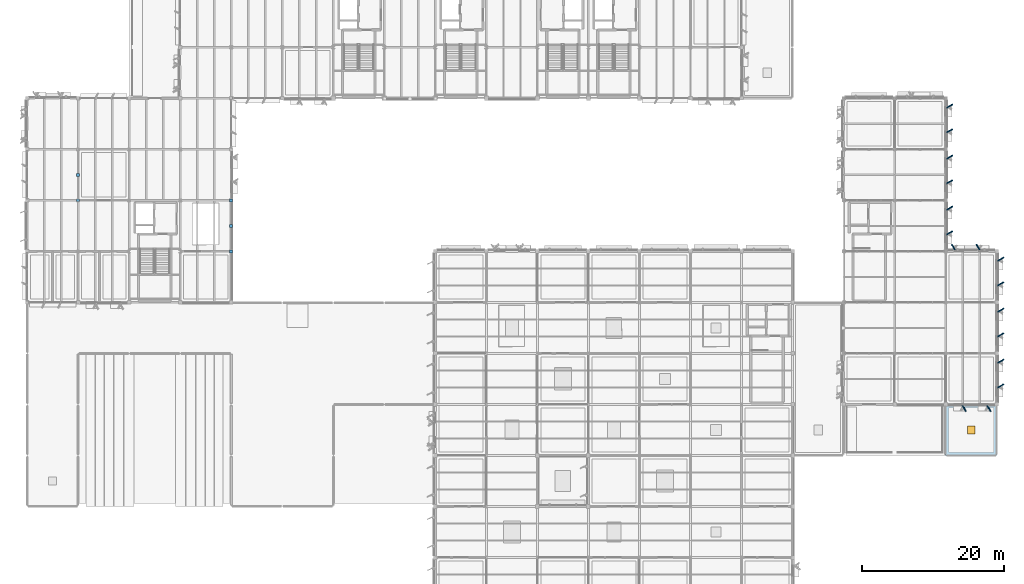
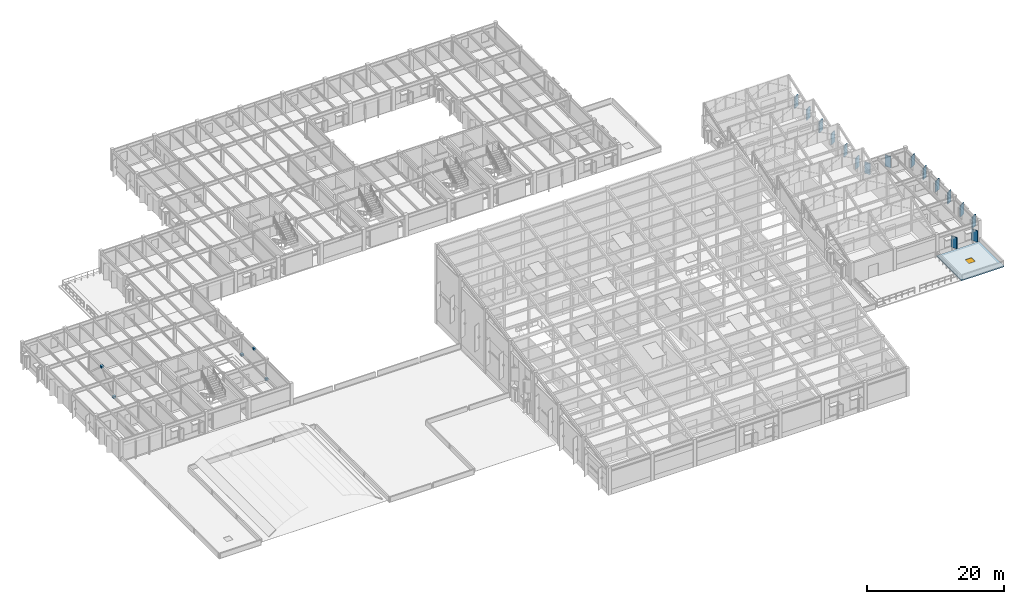
# One storey, part 27 of 82: 21 plates, 1 door, 1 slab, 1 opening.
"""IFC4 building model written with IfcOpenShell, lengths in metres."""

from ifc_helpers import new_model, si_unit, direction, frame, origin, origin_2d, place, context, subcontext, project, spatial, polyline, rectangle, outline, extrude, material, layer, layer_set, type_object, element, fill, save


model = new_model("IFC4")

# Units and contexts
model_context = context("Model", 3, precision=1e-05, world=origin(), true_north=direction((0.0, 1.0)))
body_context = subcontext(model_context, "Body", "Model", "MODEL_VIEW")
ifc_project = project(units=[si_unit("LENGTHUNIT", "METRE"), si_unit("AREAUNIT", "SQUARE_METRE"), si_unit("VOLUMEUNIT", "CUBIC_METRE"), si_unit("PLANEANGLEUNIT", "RADIAN"), si_unit("MASSUNIT", "GRAM", prefix="KILO")], contexts=[model_context])

# Site, building, storey
site_placement = place(None, origin())
site = spatial("IfcSite", under=ifc_project, at=site_placement, CompositionType="ELEMENT")
building_placement = place(site_placement, origin())
building = spatial("IfcBuilding", under=site, at=building_placement, Name="Sillqori Civic Hall", CompositionType="ELEMENT")
storey_placement = place(building_placement, frame((0.0, 0.0, 14.10009765625)))
storey = spatial("IfcBuildingStorey", under=building, at=storey_placement, Name="L04", CompositionType="ELEMENT", Elevation=14.10009765625)

# Plates
ifc_material_1 = material(Name="Steel ASTM A36", Category="steel")
plate_type_1 = type_object("IfcPlateType", Name="PLT-GUSSET-20", PredefinedType="SHEET", material=ifc_material_1)
for number, where, z_axis, x_axis, name in (
    (1, (36.0, 61.199951171875, 3.2197265625), (0.0, 0.0, 1.0), (1.0, 0.0, 0.0), "L04 chevron brace node plate APX"),
    (2, (36.0, 57.60009765625, -0.0302734375), (0.0, 0.0, 1.0), (1.0, 0.0, 0.0), "L04 chevron brace node plate BSL"),
    (3, (36.0, 64.800048828125, -0.0302734375), (0.0, 0.0, 1.0), (1.0, 0.0, 0.0), "L04 chevron brace node plate BSR"),
    (4, (14.39990234375, 68.39990234375, 3.2197265625), (0.0, 0.0, 1.0), (1.0, 0.0, 0.0), "L04 chevron brace node plate APX"),
    (5, (14.39990234375, 64.800048828125, -0.0302734375), (0.0, 0.0, 1.0), (1.0, 0.0, 0.0), "L04 chevron brace node plate BSL"),
):
    element("IfcPlate", number, at=place(storey_placement, frame(where, z_axis=z_axis, x_axis=x_axis)), inside=storey, type_object=plate_type_1, Name=name, PredefinedType="SHEET", context=body_context, shape_type="SweptSolid", body=[
        extrude(rectangle(XDim=0.419921875, YDim=0.419921875, at=origin_2d()), origin(), (0.0, 0.0, 1.0), 0.360107421875),
    ])
ifc_material_2 = material(Name="Precast concrete C40/50 (H40)", Category="concrete")
ifc_layer_1 = layer(ifc_material_2, 0.159912109375)
ifc_layer_set_1 = layer_set([ifc_layer_1], Name="Precast concrete C40/50 (H40)")
plate_type_2 = type_object("IfcPlateType", Name="REV-SAW-200", PredefinedType="USERDEFINED", material=ifc_layer_set_1)
for number, where, z_axis, x_axis, name in (
    (6, (137.3701171875, 63.701904296875, 0.7998046875), (0.0, 0.0, 1.0), (0.5, -0.866025403784, 0.0), "Sawtooth stone window reveal L04-18-08-E.1"),
    (7, (137.3701171875, 60.218017578125, 0.7998046875), (0.0, 0.0, 1.0), (0.5, -0.866025403784, 0.0), "Sawtooth stone window reveal L04-18-08-E.2"),
    (8, (137.3701171875, 70.902099609375, 0.7998046875), (0.0, 0.0, 1.0), (0.5, -0.866025403784, 0.0), "Sawtooth stone window reveal L04-18-09-E.1"),
    (9, (137.3701171875, 67.41796875, 0.7998046875), (0.0, 0.0, 1.0), (0.5, -0.866025403784, 0.0), "Sawtooth stone window reveal L04-18-09-E.2"),
    (10, (137.3701171875, 78.10205078125, 0.7998046875), (0.0, 0.0, 1.0), (0.5, -0.866025403784, 0.0), "Sawtooth stone window reveal L04-18-10-E.1"),
    (11, (137.3701171875, 74.617919921875, 0.7998046875), (0.0, 0.0, 1.0), (0.5, -0.866025403784, 0.0), "Sawtooth stone window reveal L04-18-10-E.2"),
    (12, (142.902099609375, 35.429931640625, 0.7998046875), (0.0, 0.0, 1.0), (-0.866025403784, -0.5, 0.0), "Sawtooth stone window reveal L04-19-05-S.1"),
    (13, (139.41796875, 35.429931640625, 0.7998046875), (0.0, 0.0, 1.0), (-0.866025403784, -0.5, 0.0), "Sawtooth stone window reveal L04-19-05-S.2"),
    (14, (144.570068359375, 42.10205078125, 0.7998046875), (0.0, 0.0, 1.0), (0.5, -0.866025403784, 0.0), "Sawtooth stone window reveal L04-19-05-E.1"),
    (15, (144.570068359375, 38.617919921875, 0.7998046875), (0.0, 0.0, 1.0), (0.5, -0.866025403784, 0.0), "Sawtooth stone window reveal L04-19-05-E.2"),
    (16, (144.570068359375, 49.302001953125, 0.7998046875), (0.0, 0.0, 1.0), (0.5, -0.866025403784, 0.0), "Sawtooth stone window reveal L04-19-06-E.1"),
    (17, (144.570068359375, 45.818115234375, 0.7998046875), (0.0, 0.0, 1.0), (0.5, -0.866025403784, 0.0), "Sawtooth stone window reveal L04-19-06-E.2"),
    (18, (137.89794921875, 58.169921875, 0.7998046875), (0.0, 0.0, 1.0), (0.866025403784, 0.5, 0.0), "Sawtooth stone window reveal L04-19-07-N.1"),
    (19, (141.382080078125, 58.169921875, 0.7998046875), (0.0, 0.0, 1.0), (0.866025403784, 0.5, 0.0), "Sawtooth stone window reveal L04-19-07-N.2"),
    (20, (144.570068359375, 56.501953125, 0.7998046875), (0.0, 0.0, 1.0), (0.5, -0.866025403784, 0.0), "Sawtooth stone window reveal L04-19-07-E.1"),
    (21, (144.570068359375, 53.01806640625, 0.7998046875), (0.0, 0.0, 1.0), (0.5, -0.866025403784, 0.0), "Sawtooth stone window reveal L04-19-07-E.2"),
):
    element("IfcPlate", number, at=place(storey_placement, frame(where, z_axis=z_axis, x_axis=x_axis)), inside=storey, type_object=plate_type_2, Name=name, ObjectType="REVEAL_PANEL", PredefinedType="USERDEFINED", context=body_context, shape_type="SweptSolid", body=[
        extrude(rectangle(XDim=0.159912109375, YDim=0.97998046875, at=origin_2d()), origin(), (0.0, 0.0, 1.0), 2.0),
    ])

# Slab, opening, door
ifc_material_3 = material(Name="Concrete C30/37 (H30)", Category="concrete")
ifc_layer_2 = layer(ifc_material_3, 0.199951171875)
ifc_layer_set_2 = layer_set([ifc_layer_2], Name="Concrete C30/37 (H30)")
slab_type = type_object("IfcSlabType", Name="SLB-ROOF-200", PredefinedType="ROOF", material=ifc_layer_set_2)
slab_placement = place(storey_placement, frame((0.0, 0.0, -0.2001953125)))
slab = element("IfcSlab", 22, at=slab_placement, inside=storey, type_object=slab_type, Name="L04 flat structural roof over L03 3", PredefinedType="ROOF", context=body_context, shape_type="SweptSolid", body=[
    extrude(outline(polyline([(144.0, 28.800048828125), (136.800048828125, 28.800048828125), (136.800048828125, 36.0), (144.0, 36.0), (144.0, 28.800048828125)]), holes=[polyline([(139.85009765625, 31.85009765625), (139.85009765625, 32.949951171875), (140.949951171875, 32.949951171875), (140.949951171875, 31.85009765625), (139.85009765625, 31.85009765625)])]), origin(), (0.0, 0.0, 1.0), 0.2001953125),
])
opening_placement = place(slab_placement, frame((140.39990234375, 32.39990234375, 0.0)))
opening = element("IfcOpeningElement", 23, at=opening_placement, cuts=slab, Name="Opening TH-01", PredefinedType="OPENING", context=body_context, shape_type="SweptSolid", body=[
    extrude(rectangle(XDim=1.10009765625, YDim=1.10009765625, at=origin_2d()), frame((0.0, 0.0, -0.010009765625)), (0.0, 0.0, 1.0), 0.22021484375),
])
ifc_material_4 = material(Name="Galvanized Insulated Steel", Category="steel")
door_type = type_object("IfcDoorType", Name="TRP-ROOF-110X110", OperationType="NOTDEFINED", PredefinedType="TRAPDOOR", material=ifc_material_4)
door_placement = place(opening_placement, frame((0.0, 0.0, 0.150146484375)))
door = element("IfcDoor", 24, at=door_placement, inside=storey, type_object=door_type, Name="L04 maintenance roof access hatch 13", OperationType="SINGLE_SWING_LEFT", OverallHeight=1.10009765625, OverallWidth=1.10009765625, PredefinedType="TRAPDOOR", context=body_context, shape_type="SweptSolid", body=[
    extrude(rectangle(XDim=1.10009765625, YDim=1.10009765625, at=origin_2d()), origin(), (0.0, 0.0, 1.0), 0.050048828125),
])
fill(opening, door)

save(model, "model.ifc")
